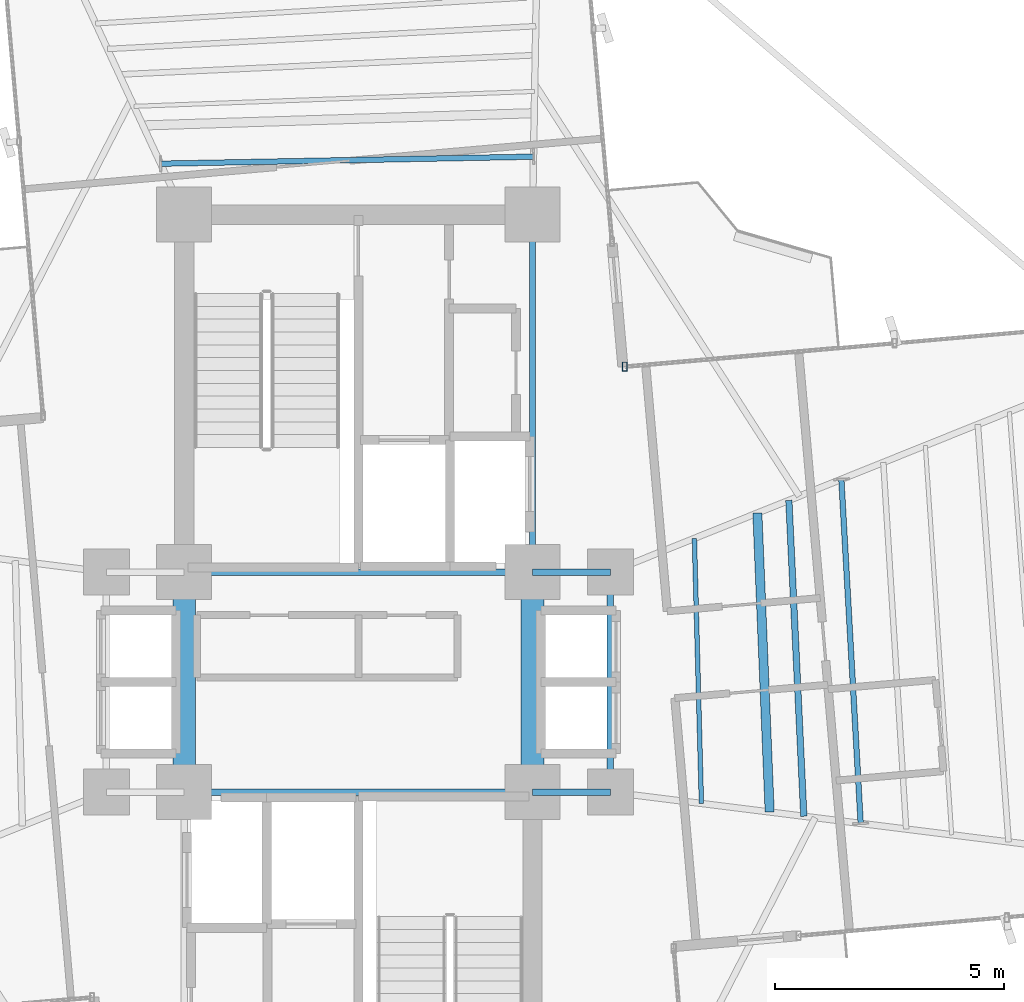
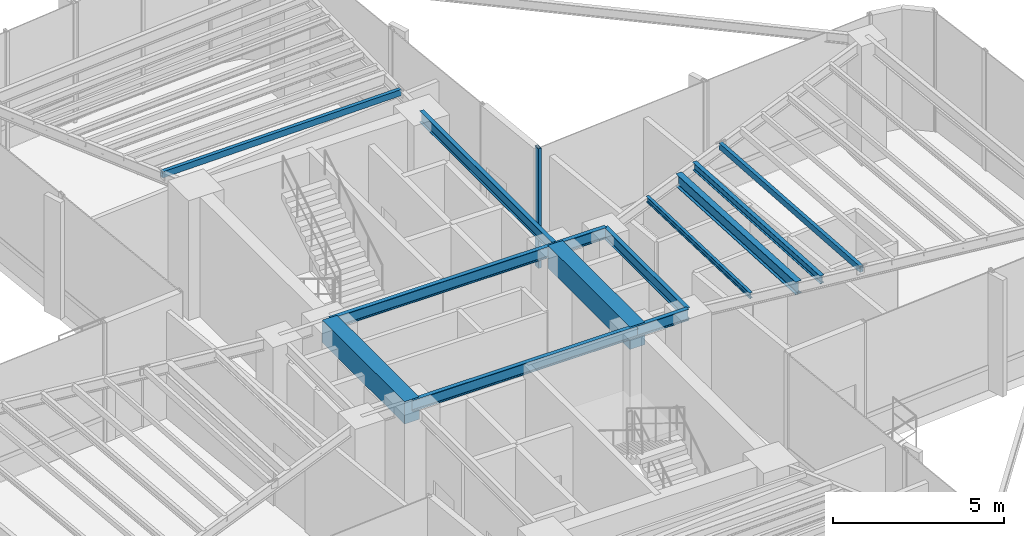
# One storey, part 6 of 19: 13 beams, 1 member, 1 element without a shape of its own.
"""IFC4 building model written with IfcOpenShell, lengths in metres."""

from ifc_helpers import new_model, si_unit, direction, frame, origin, origin_2d, place, context, subcontext, project, spatial, rectangle, hollow_rectangle, i_section, extrude, source, transform, mapped, material, material_profile, profile_set, type_object, element, aggregate, save


model = new_model("IFC4")

# Units and contexts
model_context = context("Model", 3, precision=1e-05, world=origin(), true_north=direction((0.0, 1.0)))
body_context = subcontext(model_context, "Body", "Model", "MODEL_VIEW")
ifc_project = project(units=[si_unit("LENGTHUNIT", "METRE"), si_unit("AREAUNIT", "SQUARE_METRE"), si_unit("VOLUMEUNIT", "CUBIC_METRE"), si_unit("PLANEANGLEUNIT", "RADIAN"), si_unit("MASSUNIT", "GRAM", prefix="KILO")], contexts=[model_context])

# Site, building, storey
site_placement = place(None, origin())
site = spatial("IfcSite", under=ifc_project, at=site_placement, CompositionType="ELEMENT")
building_placement = place(site_placement, origin())
building = spatial("IfcBuilding", under=site, at=building_placement, Name="Sahyath Konkavel Grand Hotel", CompositionType="ELEMENT")
storey_placement = place(building_placement, frame((0.0, 0.0, 170.699951171875)))
storey = spatial("IfcBuildingStorey", under=building, at=storey_placement, Name="L47", CompositionType="ELEMENT", Elevation=170.699951171875)

# Beams
ifc_material_1 = material(Name="Steel E350", Category="steel")
ifc_material_profile_1 = material_profile(ifc_material_1, i_section(OverallWidth=0.139892578125, OverallDepth=0.39990234375, WebThickness=0.0087890625, FlangeThickness=0.01611328125, FilletRadius=0.013916015625, at=origin_2d()), Name="ISMB 400")
ifc_profile_set_1 = profile_set([ifc_material_profile_1], Name="Steel E350")
beam_type_1 = type_object("IfcBeamType", Name="BM-ISMB400", PredefinedType="BEAM", material=ifc_profile_set_1)
shared_shape_1 = source(origin(), body_context, "Body", "SweptSolid", [
    extrude(i_section(OverallWidth=0.139892578125, OverallDepth=0.39990234375, WebThickness=0.0087890625, FlangeThickness=0.01611328125, FilletRadius=0.013916015625, at=origin_2d()), origin(), (0.0, 0.0, 1.0), 7.60009765625),
])
for number, where, z_axis, x_axis, name in (
    (1, (-3.800048828125, 2.39990234375, 4.06005859375), (1.0, 0.0, 0.0), (0.0, 1.0, 0.0), "str:bm:L47:NC-S"),
    (2, (-3.800048828125, -2.39990234375, 4.06005859375), (1.0, 0.0, 0.0), (0.0, 1.0, 0.0), "str:bm:L47:SC-N"),
):
    element("IfcBeam", number, at=place(storey_placement, frame(where, z_axis=z_axis, x_axis=x_axis)), inside=storey, type_object=beam_type_1, Name=name, PredefinedType="BEAM", context=body_context, shape_type="MappedRepresentation", body=[
        mapped(shared_shape_1, transform((0.0, 0.0, 0.0), scale=1.0)),
    ])
shared_shape_2 = source(origin(), body_context, "Body", "SweptSolid", [
    extrude(i_section(OverallWidth=0.139892578125, OverallDepth=0.39990234375, WebThickness=0.0087890625, FlangeThickness=0.01611328125, FilletRadius=0.013916015625, at=origin_2d()), origin(), (0.0, 0.0, 1.0), 7.800048828125),
])
beam_1_placement = place(storey_placement, frame((3.800048828125, 2.39990234375, 4.06005859375), z_axis=(0.0, 1.0, 0.0), x_axis=(-1.0, 0.0, 0.0)))
element("IfcBeam", 3, at=beam_1_placement, inside=storey, type_object=beam_type_1, Name="str:bm:L47:NC-E", PredefinedType="BEAM", context=body_context, shape_type="MappedRepresentation", body=[
    mapped(shared_shape_2, transform((0.0, 0.0, 0.0), scale=1.0)),
])
shared_shape_3 = source(origin(), body_context, "Body", "SweptSolid", [
    extrude(i_section(OverallWidth=0.139892578125, OverallDepth=0.39990234375, WebThickness=0.0087890625, FlangeThickness=0.01611328125, FilletRadius=0.013916015625, at=origin_2d()), origin(), (0.0, 0.0, 1.0), 1.699951171875),
])
for number, where, z_axis, x_axis, name in (
    (4, (3.800048828125, 2.39990234375, 4.06005859375), (1.0, 0.0, 0.0), (0.0, 1.0, 0.0), "str:bm:L47:HB-NE"),
    (5, (3.800048828125, -2.39990234375, 4.06005859375), (1.0, 0.0, 0.0), (0.0, 1.0, 0.0), "str:bm:L47:HB-SE"),
):
    element("IfcBeam", number, at=place(storey_placement, frame(where, z_axis=z_axis, x_axis=x_axis)), inside=storey, type_object=beam_type_1, Name=name, PredefinedType="BEAM", context=body_context, shape_type="MappedRepresentation", body=[
        mapped(shared_shape_3, transform((0.0, 0.0, 0.0), scale=1.0)),
    ])
shared_shape_4 = source(origin(), body_context, "Body", "SweptSolid", [
    extrude(i_section(OverallWidth=0.139892578125, OverallDepth=0.39990234375, WebThickness=0.0087890625, FlangeThickness=0.01611328125, FilletRadius=0.013916015625, at=origin_2d()), origin(), (0.0, 0.0, 1.0), 4.7998046875),
])
beam_2_placement = place(storey_placement, frame((5.5, -2.39990234375, 4.06005859375), z_axis=(0.0, 1.0, 0.0), x_axis=(-1.0, 0.0, 0.0)))
element("IfcBeam", 6, at=beam_2_placement, inside=storey, type_object=beam_type_1, Name="str:bm:L47:HB-E", PredefinedType="BEAM", context=body_context, shape_type="MappedRepresentation", body=[
    mapped(shared_shape_4, transform((0.0, 0.0, 0.0), scale=1.0)),
])
ifc_material_2 = material(Name="Concrete C50/60", Category="concrete")
ifc_material_profile_2 = material_profile(ifc_material_2, rectangle(XDim=0.5, YDim=0.800048828125, at=origin_2d()), Name="RC 500x800")
ifc_profile_set_2 = profile_set([ifc_material_profile_2], Name="Concrete C50/60")
beam_type_2 = type_object("IfcBeamType", Name="BM-CB500x800", PredefinedType="LINTEL", material=ifc_profile_set_2)
shared_shape_5 = source(origin(), body_context, "Body", "SweptSolid", [
    extrude(rectangle(XDim=0.5, YDim=0.800048828125, at=origin_2d()), origin(), (0.0, 0.0, 1.0), 4.7998046875),
])
for number, where, z_axis, x_axis, name in (
    (7, (-3.800048828125, -2.39990234375, 3.860107421875), (0.0, 1.0, 0.0), (-1.0, 0.0, 0.0), "L47 Split-Core Coupling Beam West"),
    (8, (3.800048828125, -2.39990234375, 3.860107421875), (0.0, 1.0, 0.0), (-1.0, 0.0, 0.0), "L47 Split-Core Coupling Beam East"),
):
    element("IfcBeam", number, at=place(storey_placement, frame(where, z_axis=z_axis, x_axis=x_axis)), inside=storey, type_object=beam_type_2, Name=name, PredefinedType="LINTEL", context=body_context, shape_type="MappedRepresentation", body=[
        mapped(shared_shape_5, transform((0.0, 0.0, 0.0), scale=1.0)),
    ])
ifc_material_profile_3 = material_profile(ifc_material_1, i_section(OverallWidth=0.199951171875, OverallDepth=0.449951171875, WebThickness=0.00927734375, FlangeThickness=0.015380859375, FilletRadius=0.01611328125, at=origin_2d()), Name="ISWB 450")
ifc_profile_set_3 = profile_set([ifc_material_profile_3], Name="Steel E350")
beam_type_3 = type_object("IfcBeamType", Name="BM-ISWB450", PredefinedType="BEAM", material=ifc_profile_set_3)
shared_shape_6 = source(origin(), body_context, "Body", "SweptSolid", [
    extrude(i_section(OverallWidth=0.199951171875, OverallDepth=0.449951171875, WebThickness=0.00927734375, FlangeThickness=0.015380859375, FilletRadius=0.01611328125, at=origin_2d()), origin(), (0.0, 0.0, 1.0), 6.530029296875),
])
beam_3_placement = place(storey_placement, frame((8.9755859375, -2.835205078125, 4.03515625), z_axis=(-0.04112667768, 0.999153940283, 0.0), x_axis=(-0.999153940283, -0.04112667768, 0.0)))
element("IfcBeam", 9, at=beam_3_placement, inside=storey, type_object=beam_type_3, Name="L47 Secondary Floor Beam E-1", PredefinedType="BEAM", context=body_context, shape_type="MappedRepresentation", body=[
    mapped(shared_shape_6, transform((0.0, 0.0, 0.0), scale=1.0)),
])
ifc_material_profile_4 = material_profile(ifc_material_1, i_section(OverallWidth=0.10009765625, OverallDepth=0.199951171875, WebThickness=0.005615234375, FlangeThickness=0.0107421875, FilletRadius=0.010986328125, at=origin_2d()), Name="ISMB 200")
ifc_profile_set_4 = profile_set([ifc_material_profile_4], Name="Steel E350")
beam_type_4 = type_object("IfcBeamType", Name="BM-ISMB200", PredefinedType="BEAM", material=ifc_profile_set_4)
shared_shape_7 = source(origin(), body_context, "Body", "SweptSolid", [
    extrude(i_section(OverallWidth=0.10009765625, OverallDepth=0.199951171875, WebThickness=0.005615234375, FlangeThickness=0.0107421875, FilletRadius=0.010986328125, at=origin_2d()), origin(), (0.0, 0.0, 1.0), 5.787353515625),
])
beam_4_placement = place(storey_placement, frame((7.486083984375, -2.648681640625, 4.16015625), z_axis=(-0.026491943658, 0.99964902687, 0.0), x_axis=(-0.99964902687, -0.026491943658, 0.0)))
element("IfcBeam", 10, at=beam_4_placement, inside=storey, type_object=beam_type_4, Name="L47 Composite Deck Sub-Beam E-1", PredefinedType="BEAM", context=body_context, shape_type="MappedRepresentation", body=[
    mapped(shared_shape_7, transform((0.0, 0.0, 0.0), scale=1.0)),
])
ifc_material_profile_5 = material_profile(ifc_material_1, i_section(OverallWidth=0.139892578125, OverallDepth=0.27490234375, WebThickness=0.00634765625, FlangeThickness=0.0087890625, FilletRadius=0.012939453125, at=origin_2d()), Name="ISLB 275")
ifc_profile_set_5 = profile_set([ifc_material_profile_5], Name="Steel E350")
beam_type_5 = type_object("IfcBeamType", Name="BM-ISLB275", PredefinedType="BEAM", material=ifc_profile_set_5)
shared_shape_8 = source(origin(), body_context, "Body", "SweptSolid", [
    extrude(i_section(OverallWidth=0.139892578125, OverallDepth=0.27490234375, WebThickness=0.00634765625, FlangeThickness=0.0087890625, FilletRadius=0.012939453125, at=origin_2d()), origin(), (0.0, 0.0, 1.0), 6.901611328125),
])
beam_5_placement = place(storey_placement, frame((9.720458984375, -2.92822265625, 4.12255859375), z_axis=(-0.047260938611, 0.998882577524, 0.0), x_axis=(-0.998882577524, -0.047260938611, 0.0)))
element("IfcBeam", 11, at=beam_5_placement, inside=storey, type_object=beam_type_5, Name="L47 Composite Deck Sub-Beam E-2", PredefinedType="BEAM", context=body_context, shape_type="MappedRepresentation", body=[
    mapped(shared_shape_8, transform((0.0, 0.0, 0.0), scale=1.0)),
])
ifc_material_profile_6 = material_profile(ifc_material_1, hollow_rectangle(XDim=0.1201171875, YDim=0.219970703125, WallThickness=0.010009765625, at=origin_2d()), Name="RHS 220x120x10")
ifc_profile_set_6 = profile_set([ifc_material_profile_6], Name="Steel E350")
beam_type_6 = type_object("IfcBeamType", Name="BM-RHS220", PredefinedType="BEAM", material=ifc_profile_set_6)
shared_shape_9 = source(origin(), body_context, "Body", "SweptSolid", [
    extrude(hollow_rectangle(XDim=0.1201171875, YDim=0.219970703125, WallThickness=0.010009765625, at=origin_2d()), origin(), (0.0, 0.0, 1.0), 7.521484375),
])
beam_6_placement = place(storey_placement, frame((10.961669921875, -3.083740234375, 4.150146484375), z_axis=(-0.056090237508, 0.998425703423, 0.0), x_axis=(-0.998425703423, -0.056090237508, 0.0)))
element("IfcBeam", 12, at=beam_6_placement, inside=storey, type_object=beam_type_6, Name="L47 Composite Deck Sub-Beam E-3", PredefinedType="BEAM", context=body_context, shape_type="MappedRepresentation", body=[
    mapped(shared_shape_9, transform((0.0, 0.0, 0.0), scale=1.0)),
])
shared_shape_10 = source(origin(), body_context, "Body", "SweptSolid", [
    extrude(hollow_rectangle(XDim=0.1201171875, YDim=0.219970703125, WallThickness=0.010009765625, at=origin_2d()), origin(), (0.0, 0.0, 1.0), 8.138671875),
])
beam_7_placement = place(storey_placement, frame((3.82177734375, 11.4658203125, 4.150146484375), z_axis=(-0.99982253895, -0.018838540488, 0.0), x_axis=(0.018838540488, -0.99982253895, 0.0)))
element("IfcBeam", 13, at=beam_7_placement, inside=storey, type_object=beam_type_6, Name="L47 Composite Deck Sub-Beam N-1", PredefinedType="BEAM", context=body_context, shape_type="MappedRepresentation", body=[
    mapped(shared_shape_10, transform((0.0, 0.0, 0.0), scale=1.0)),
])

# Curtain wall, member
ifc_material_3 = material(Name="Anodised Bronze Aluminium & Low-E Glazing", Category="aluminium")
curtain_wall_type = type_object("IfcCurtainWallType", Name="CW-SKYLOBBY", PredefinedType="NOTDEFINED", material=ifc_material_3)
curtain_wall_placement = place(storey_placement, origin())
curtain_wall = element("IfcCurtainWall", 14, at=curtain_wall_placement, inside=storey, type_object=curtain_wall_type, Name="L47 Unitised Curtain Wall F7", PredefinedType="NOTDEFINED")
ifc_material_4 = material(Name="Anodised Bronze Aluminium", Category="aluminium")
ifc_material_profile_7 = material_profile(ifc_material_4, hollow_rectangle(XDim=0.10009765625, YDim=0.199951171875, WallThickness=0.008056640625, at=origin_2d()), Name="RHS 200x100x8")
ifc_profile_set_7 = profile_set([ifc_material_profile_7], Name="Anodised Bronze Aluminium")
member_type = type_object("IfcMemberType", Name="CW-MUL-200", PredefinedType="MULLION", material=ifc_profile_set_7)
shared_shape_11 = source(origin(), body_context, "Body", "SweptSolid", [
    extrude(hollow_rectangle(XDim=0.10009765625, YDim=0.199951171875, WallThickness=0.008056640625, at=origin_2d()), origin(), (0.0, 0.0, 1.0), 4.260009765625),
])
member_placement = place(storey_placement, frame((5.812255859375, 6.8828125, 0.0), z_axis=(0.0, 0.0, 1.0), x_axis=(1.0, 0.0, 0.0)))
member = element("IfcMember", 15, at=member_placement, type_object=member_type, Name="L47 Curtain Wall Mullion F7-2", PredefinedType="MULLION", context=body_context, shape_type="MappedRepresentation", body=[
    mapped(shared_shape_11, transform((0.0, 0.0, 0.0), scale=1.0)),
])
aggregate(curtain_wall, [member])

save(model, "model.ifc")
